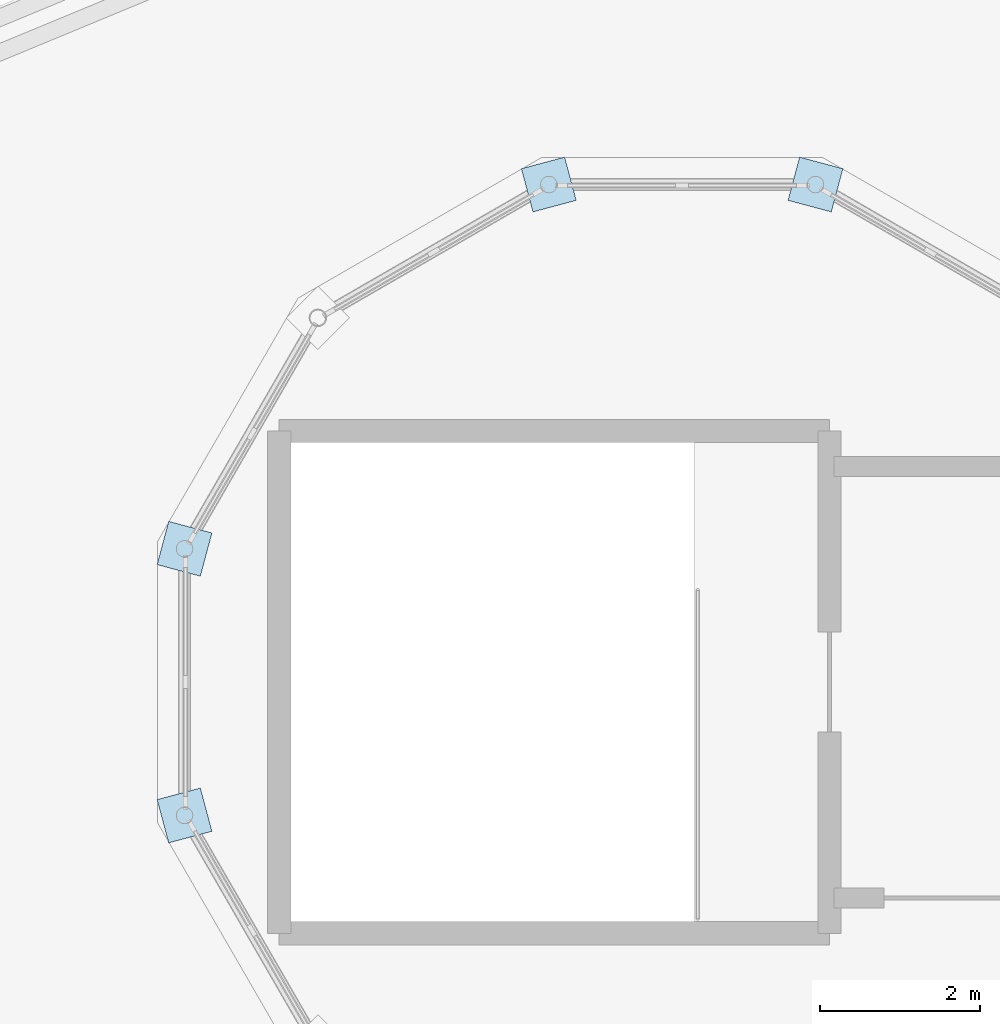
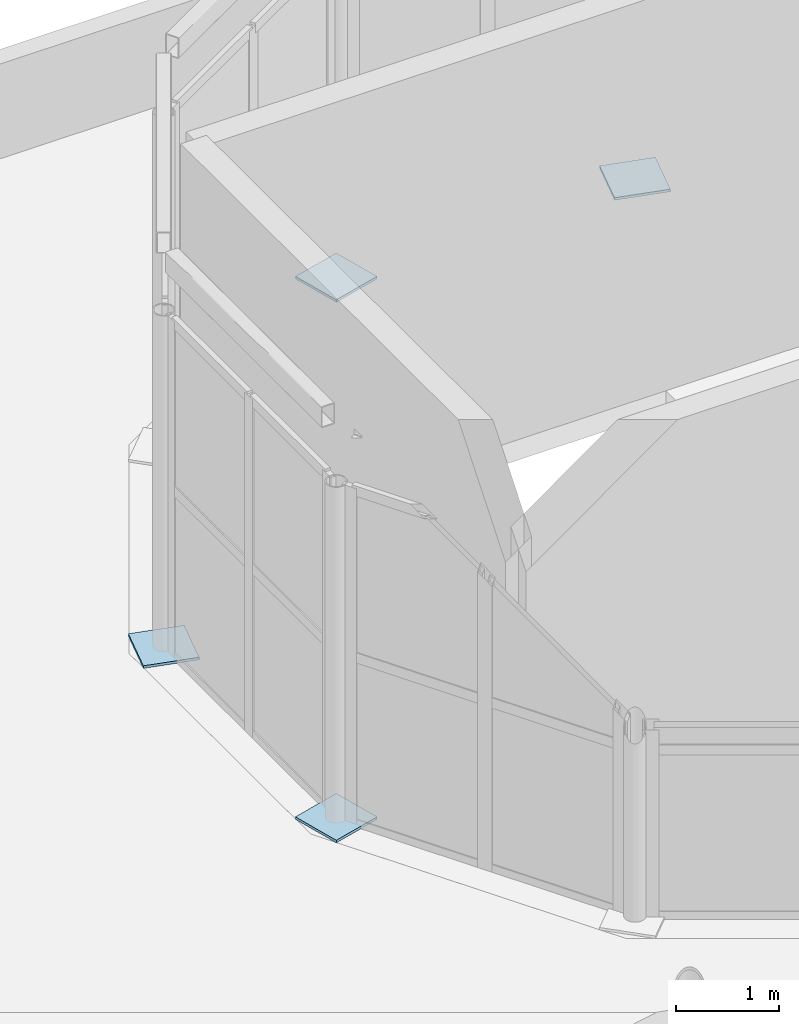
# One storey, part 31 of 51: 4 plates.
"""IFC4 building model written with IfcOpenShell, lengths in metres."""

from ifc_helpers import new_model, si_unit, direction, frame, origin, origin_2d, place, context, subcontext, project, spatial, rectangle, extrude, material, layer, layer_set, type_object, element, save


model = new_model("IFC4")

# Units and contexts
model_context = context("Model", 3, precision=1e-05, world=origin(), true_north=direction((0.0, 1.0)))
body_context = subcontext(model_context, "Body", "Model", "MODEL_VIEW")
ifc_project = project(units=[si_unit("LENGTHUNIT", "METRE"), si_unit("AREAUNIT", "SQUARE_METRE"), si_unit("VOLUMEUNIT", "CUBIC_METRE"), si_unit("PLANEANGLEUNIT", "RADIAN"), si_unit("MASSUNIT", "GRAM", prefix="KILO")], contexts=[model_context])

# Site, building, storey
site_placement = place(None, origin())
site = spatial("IfcSite", under=ifc_project, at=site_placement, CompositionType="ELEMENT")
building_placement = place(site_placement, origin())
building = spatial("IfcBuilding", under=site, at=building_placement, Name="Wrenclough Park School", CompositionType="ELEMENT")
storey_placement = place(building_placement, frame((0.0, 0.0, 16.800048828125)))
storey = spatial("IfcBuildingStorey", under=building, at=storey_placement, Name="L04", CompositionType="ELEMENT", Elevation=16.800048828125)

# Plates
ifc_material = material(Name="Structural steel S355", Category="steel")
ifc_layer = layer(ifc_material, 0.030029296875)
ifc_layer_set = layer_set([ifc_layer], Name="Structural steel S355")
plate_type = type_object("IfcPlateType", Name="STR-PL-KN4", PredefinedType="USERDEFINED", material=ifc_layer_set)
for number, where, z_axis, x_axis, name in (
    (1, (157.869384765625, 45.43017578125, 0.0), (0.0, 0.0, 1.0), (-0.965925826289, 0.258819045103, 0.0), "D1-SH cylindrical column baseplate 3"),
    (2, (154.530517578125, 45.43017578125, 0.0), (0.0, 0.0, 1.0), (-0.965925826289, -0.258819045103, 0.0), "D1-SH cylindrical column baseplate 4"),
    (3, (149.9697265625, 40.869384765625, 0.0), (0.0, 0.0, 1.0), (-0.258819045103, -0.965925826289, 0.0), "D1-SH cylindrical column baseplate 6"),
    (4, (149.9697265625, 37.530517578125, 0.0), (0.0, 0.0, 1.0), (0.258819045103, -0.965925826289, 0.0), "D1-SH cylindrical column baseplate 7"),
):
    element("IfcPlate", number, at=place(storey_placement, frame(where, z_axis=z_axis, x_axis=x_axis)), inside=storey, type_object=plate_type, Name=name, ObjectType="GUSSET PLATE", PredefinedType="USERDEFINED", context=body_context, shape_type="SweptSolid", body=[
        extrude(rectangle(XDim=0.56005859375, YDim=0.56005859375, at=origin_2d()), origin(), (0.0, 0.0, 1.0), 0.030029296875),
    ])

save(model, "model.ifc")
